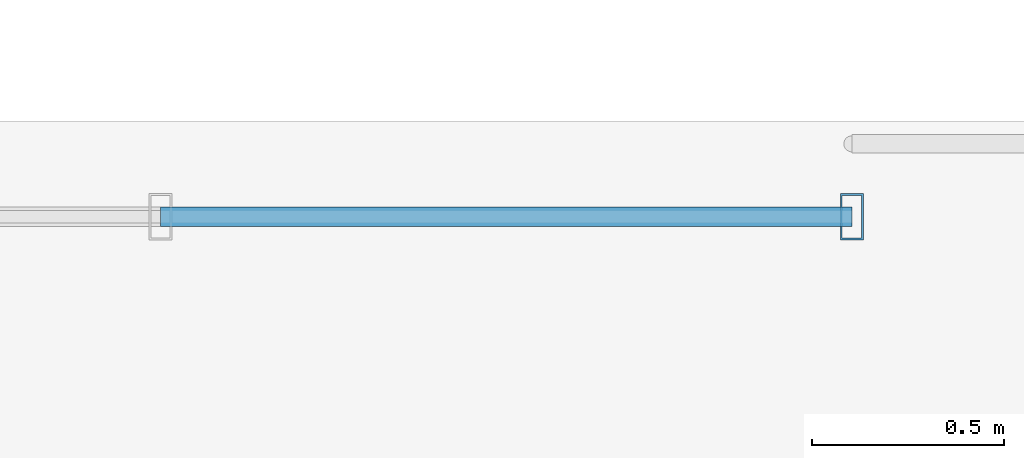
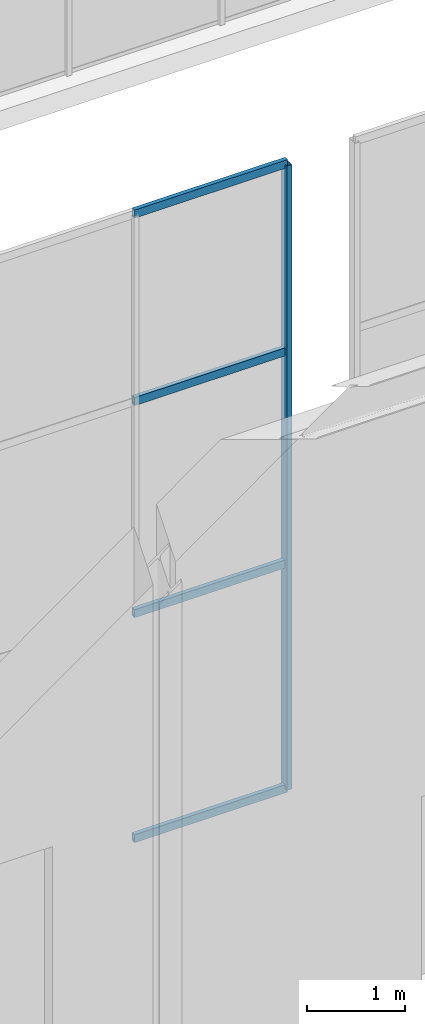
# One storey, part 57 of 138: 5 members, 1 element without a shape of its own.
"""IFC4 building model written with IfcOpenShell, lengths in metres."""

import ifcopenshell
import ifcopenshell.guid

model = None  # the IFC model being written
_history = None  # IfcOwnerHistory: only IFC2X3 demands one
_inside = {}  # id of a spatial element -> (the spatial element, [elements in it])
_under = {}  # id of a project, library or spatial element -> (it, [spatial elements below it])
_declared = {}  # id of a project -> (the project, [libraries it declares])
_typed = {}  # id of a type object -> (the type object, [elements of that type])
_made_of = {}  # id of a material, layer set ... -> (it, [elements and type objects made of it])


def new_model(schema):
    """Start an empty IFC model of exactly this schema.

    Asked for "IFC4X3", IfcOpenShell would pick the latest addendum, in which some entities
    have other attributes; the version numbers below select the first issue.
    IFC2X3 requires an IfcOwnerHistory on every rooted entity: one is made here for all.
    """
    global model, _history
    if schema == "IFC4X3":
        model = ifcopenshell.file(schema_version=(4, 3, 0, 0))
    else:
        model = ifcopenshell.file(schema=schema)
    _inside.clear()
    _under.clear()
    _declared.clear()
    _typed.clear()
    _made_of.clear()
    _history = None
    if model.schema == "IFC2X3":
        org = make("IfcOrganization", Name="unknown")
        user = make(
            "IfcPersonAndOrganization",
            ThePerson=make("IfcPerson", FamilyName="unknown"),
            TheOrganization=org,
        )
        app = make(
            "IfcApplication",
            ApplicationDeveloper=org,
            Version="unknown",
            ApplicationFullName="unknown",
            ApplicationIdentifier="unknown",
        )
        _history = make(
            "IfcOwnerHistory",
            OwningUser=user,
            OwningApplication=app,
            ChangeAction="ADDED",
            CreationDate=0,
        )
    return model


def make(cls, **values):
    """One entity of the class cls with the attributes given. An attribute that is None is left unset."""
    return model.create_entity(
        cls, **{name: value for name, value in values.items() if value is not None}
    )


def rooted(cls, **values):
    """An entity with a GlobalId (a new one), such as an element, a storey or a relation."""
    return make(cls, GlobalId=ifcopenshell.guid.new(), OwnerHistory=_history, **values)


def si_unit(unit_type, name, prefix=None):
    """IfcSIUnit, for example si_unit("LENGTHUNIT", "METRE", prefix="MILLI")."""
    return make("IfcSIUnit", UnitType=unit_type, Prefix=prefix, Name=name)


def assignment(units):
    """IfcUnitAssignment: the units of a project."""
    return None if units is None else make("IfcUnitAssignment", Units=units)


def point(xyz):
    """IfcCartesianPoint."""
    return None if xyz is None else make("IfcCartesianPoint", Coordinates=xyz)


def direction(xyz):
    """IfcDirection."""
    return None if xyz is None else make("IfcDirection", DirectionRatios=xyz)


def frame(location, z_axis=None, x_axis=None):
    """IfcAxis2Placement3D, a coordinate frame: its origin and axes. An axis left out is left unset."""
    return make(
        "IfcAxis2Placement3D",
        Location=point(location),
        Axis=direction(z_axis),
        RefDirection=direction(x_axis),
    )


def frame_2d(location, x_axis=None):
    """IfcAxis2Placement2D, a coordinate frame in the plane: its origin and x axis."""
    return make(
        "IfcAxis2Placement2D", Location=point(location), RefDirection=direction(x_axis)
    )


def origin():
    """The frame at (0, 0, 0) with its axes left unset."""
    return frame((0.0, 0.0, 0.0))


def origin_2d():
    """The frame at (0, 0) in the plane with its x axis left unset."""
    return frame_2d((0.0, 0.0))


def place(relative_to, where):
    """IfcLocalPlacement: puts the frame where relative to a parent placement (None: the world)."""
    return make(
        "IfcLocalPlacement", PlacementRelTo=relative_to, RelativePlacement=where
    )


def context(
    kind, dimensions, precision=None, world=None, true_north=None, identifier=None
):
    """IfcGeometricRepresentationContext, for example the 3D "Model" context."""
    return make(
        "IfcGeometricRepresentationContext",
        ContextIdentifier=identifier,
        ContextType=kind,
        CoordinateSpaceDimension=dimensions,
        Precision=precision,
        WorldCoordinateSystem=world,
        TrueNorth=true_north,
    )


def subcontext(parent, identifier, kind, view, scale=None):
    """IfcGeometricRepresentationSubContext, for example "Body" below "Model"."""
    return make(
        "IfcGeometricRepresentationSubContext",
        ContextIdentifier=identifier,
        ContextType=kind,
        ParentContext=parent,
        TargetScale=scale,
        TargetView=view,
    )


def project(units=None, contexts=None):
    """IfcProject with its units and contexts."""
    return rooted(
        "IfcProject",
        Name="project",
        RepresentationContexts=contexts,
        UnitsInContext=assignment(units),
    )


def spatial(cls, under=None, at=None, **own):
    """A site, building, storey or space (cls), placed at a placement, below another one or the project."""
    s = rooted(cls, ObjectPlacement=at, **own)
    if under is not None:
        _under.setdefault(under.id(), (under, []))[1].append(s)
    return s


def profile(cls, at=None, kind="AREA", **sizes):
    """A parametric profile (cls). Its sizes go by their IFC names, for example OverallWidth=200.0."""
    return make(cls, ProfileType=kind, Position=at, **sizes)


def hollow_rectangle(**sizes):
    """IfcRectangleHollowProfileDef."""
    return profile("IfcRectangleHollowProfileDef", **sizes)


def extrude(swept, where, along, depth):
    """IfcExtrudedAreaSolid: the profile swept, set in the frame where, extruded along a direction by depth."""
    return make(
        "IfcExtrudedAreaSolid",
        SweptArea=swept,
        Position=where,
        ExtrudedDirection=direction(along),
        Depth=depth,
    )


def shape(context_of_items, identifier, shape_type, items):
    """IfcShapeRepresentation: the items that make up one representation, for example the "Body"."""
    return make(
        "IfcShapeRepresentation",
        ContextOfItems=context_of_items,
        RepresentationIdentifier=identifier,
        RepresentationType=shape_type,
        Items=items,
    )


def material(Name=None, Category=None):
    """IfcMaterial."""
    return make("IfcMaterial", Name=Name, Category=Category)


def material_profile(
    of_material, cross_section, Name=None, Category=None, Priority=None
):
    """IfcMaterialProfile: a cross section and its material."""
    return make(
        "IfcMaterialProfile",
        Name=Name,
        Material=of_material,
        Profile=cross_section,
        Priority=Priority,
        Category=Category,
    )


def profile_set(profiles, Name=None, composite=None):
    """IfcMaterialProfileSet."""
    return make(
        "IfcMaterialProfileSet",
        Name=Name,
        MaterialProfiles=profiles,
        CompositeProfile=composite,
    )


def made_of(thing, what):
    """Note that an element or type object is made of a material, layer set ...; save() writes the relation."""
    if what is not None:
        _made_of.setdefault(what.id(), (what, []))[1].append(thing)
    return thing


def type_object(cls, material=None, **own):
    """A type object (cls), such as IfcWallType, which elements share."""
    return made_of(rooted(cls, **own), material)


def element(
    cls,
    number,
    at=None,
    inside=None,
    cuts=None,
    type_object=None,
    material=None,
    context=None,
    identifier="Body",
    shape_type=None,
    held_by="IfcProductDefinitionShape",
    body=None,
    shapes=None,
    **own,
):
    """One element of the class cls, such as IfcWall. Its Tag is "e" and its number.

    at: its placement. inside: the storey or other place that contains it. cuts: it is an
    opening in that element (IfcRelVoidsElement). A single representation is given by context,
    identifier, shape_type and body (its items); several are given by shapes. held_by: the class
    of the entity that holds the representations. save() writes the other relations.
    """
    e = rooted(cls, Tag="e%d" % number, ObjectPlacement=at, **own)
    if body is not None:
        shapes = [shape(context, identifier, shape_type, body)]
    if shapes is not None:
        e.Representation = make(held_by, Representations=shapes)
    if inside is not None:
        _inside.setdefault(inside.id(), (inside, []))[1].append(e)
    if cuts is not None:
        rooted(
            "IfcRelVoidsElement", RelatingBuildingElement=cuts, RelatedOpeningElement=e
        )
    if type_object is not None:
        _typed.setdefault(type_object.id(), (type_object, []))[1].append(e)
    return made_of(e, material)


def aggregate(whole, parts):
    """IfcRelAggregates: a whole, such as a stair, and the parts it consists of."""
    return rooted("IfcRelAggregates", RelatingObject=whole, RelatedObjects=parts)


def save(model, path):
    """Write the relations noted so far, then the file.

    IfcRelAggregates (storeys below a building ...), IfcRelContainedInSpatialStructure (elements
    in a storey), IfcRelDefinesByType, IfcRelAssociatesMaterial and IfcRelDeclares: one each for
    every whole, place, type object, material and project.
    """
    for whole, parts in _under.values():
        aggregate(whole, parts)
    for where, things in _inside.values():
        rooted(
            "IfcRelContainedInSpatialStructure",
            RelatedElements=things,
            RelatingStructure=where,
        )
    for kind, things in _typed.values():
        rooted("IfcRelDefinesByType", RelatedObjects=things, RelatingType=kind)
    for what, things in _made_of.values():
        rooted("IfcRelAssociatesMaterial", RelatedObjects=things, RelatingMaterial=what)
    for by, libraries in _declared.values():
        rooted("IfcRelDeclares", RelatingContext=by, RelatedDefinitions=libraries)
    model.write(path)


model = new_model("IFC4")

# Units and contexts
model_context = context("Model", 3, precision=1e-05, world=origin(), true_north=direction((0.0, 1.0)))
body_context = subcontext(model_context, "Body", "Model", "MODEL_VIEW")
ifc_project = project(units=[si_unit("LENGTHUNIT", "METRE"), si_unit("AREAUNIT", "SQUARE_METRE"), si_unit("VOLUMEUNIT", "CUBIC_METRE"), si_unit("PLANEANGLEUNIT", "RADIAN"), si_unit("MASSUNIT", "GRAM", prefix="KILO")], contexts=[model_context])

# Site, building, storey
site_placement = place(None, origin())
site = spatial("IfcSite", under=ifc_project, at=site_placement, CompositionType="ELEMENT")
building_placement = place(site_placement, origin())
building = spatial("IfcBuilding", under=site, at=building_placement, Name="Sundkrona Museum", CompositionType="ELEMENT")
storey_placement = place(building_placement, frame((0.0, 0.0, 9.60009765625)))
storey = spatial("IfcBuildingStorey", under=building, at=storey_placement, Name="L02", CompositionType="ELEMENT", Elevation=9.60009765625)

# Curtain wall, members
ifc_material_1 = material(Name="Unitised Aluminium-Steel and Ceramic-Clad Curtain Walling", Category="steel")
curtain_wall_type = type_object("IfcCurtainWallType", Name="CW-CL-64x48", PredefinedType="NOTDEFINED", material=ifc_material_1)
curtain_wall_placement = place(storey_placement, origin())
curtain_wall = element("IfcCurtainWall", 1, at=curtain_wall_placement, inside=storey, type_object=curtain_wall_type, Name="L02 Curtain Wall CW-L02-132", PredefinedType="NOTDEFINED")
ifc_material_2 = material(Name="Aluminium EN AW-6060 T66", Category="aluminium")
ifc_material_profile_1 = material_profile(ifc_material_2, hollow_rectangle(XDim=0.06005859375, YDim=0.1201171875, WallThickness=0.0048828125, at=origin_2d()), Name="RHS 120x60x5.0")
ifc_profile_set_1 = profile_set([ifc_material_profile_1], Name="Aluminium EN AW-6060 T66")
member_type_1 = type_object("IfcMemberType", Name="ML-120", PredefinedType="MULLION", material=ifc_profile_set_1)
member_1_placement = place(storey_placement, frame((35.60009765625, 81.75, -0.004150390625), z_axis=(0.0, 0.0, 1.0), x_axis=(1.0, 0.0, 0.0)))
member_1 = element("IfcMember", 2, at=member_1_placement, type_object=member_type_1, Name="CW-L02-132 Mullion 05", PredefinedType="MULLION", context=body_context, shape_type="SweptSolid", body=[
    extrude(hollow_rectangle(XDim=0.06005859375, YDim=0.1201171875, WallThickness=0.0048828125, at=origin_2d()), origin(), (0.0, 0.0, 1.0), 7.76806640625),
])
ifc_material_profile_2 = material_profile(ifc_material_2, hollow_rectangle(XDim=0.050048828125, YDim=0.10009765625, WallThickness=0.0048828125, at=origin_2d()), Name="RHS 100x50x5.0")
ifc_profile_set_2 = profile_set([ifc_material_profile_2], Name="Aluminium EN AW-6060 T66")
member_type_2 = type_object("IfcMemberType", Name="TR-100", PredefinedType="USERDEFINED", material=ifc_profile_set_2)
member_2_placement = place(storey_placement, frame((33.800048828125, 81.75, -0.004150390625), z_axis=(1.0, 0.0, 0.0), x_axis=(0.0, 1.0, 0.0)))
member_2 = element("IfcMember", 3, at=member_2_placement, type_object=member_type_2, Name="CW-L02-132 Transom 13", ObjectType="TRANSOM", PredefinedType="USERDEFINED", context=body_context, shape_type="SweptSolid", body=[
    extrude(hollow_rectangle(XDim=0.050048828125, YDim=0.10009765625, WallThickness=0.0048828125, at=origin_2d()), origin(), (0.0, 0.0, 1.0), 1.800048828125),
])
member_3_placement = place(storey_placement, frame((33.800048828125, 81.75, 2.7939453125), z_axis=(1.0, 0.0, 0.0), x_axis=(0.0, 1.0, 0.0)))
member_3 = element("IfcMember", 4, at=member_3_placement, type_object=member_type_2, Name="CW-L02-132 Transom 14", ObjectType="TRANSOM", PredefinedType="USERDEFINED", context=body_context, shape_type="SweptSolid", body=[
    extrude(hollow_rectangle(XDim=0.050048828125, YDim=0.10009765625, WallThickness=0.0048828125, at=origin_2d()), origin(), (0.0, 0.0, 1.0), 1.800048828125),
])
member_4_placement = place(storey_placement, frame((33.800048828125, 81.75, 5.431884765625), z_axis=(1.0, 0.0, 0.0), x_axis=(0.0, 1.0, 0.0)))
member_4 = element("IfcMember", 5, at=member_4_placement, type_object=member_type_2, Name="CW-L02-132 Transom 15", ObjectType="TRANSOM", PredefinedType="USERDEFINED", context=body_context, shape_type="SweptSolid", body=[
    extrude(hollow_rectangle(XDim=0.050048828125, YDim=0.10009765625, WallThickness=0.0048828125, at=origin_2d()), origin(), (0.0, 0.0, 1.0), 1.800048828125),
])
member_5_placement = place(storey_placement, frame((33.800048828125, 81.75, 7.763916015625), z_axis=(1.0, 0.0, 0.0), x_axis=(0.0, 1.0, 0.0)))
member_5 = element("IfcMember", 6, at=member_5_placement, type_object=member_type_2, Name="CW-L02-132 Transom 16", ObjectType="TRANSOM", PredefinedType="USERDEFINED", context=body_context, shape_type="SweptSolid", body=[
    extrude(hollow_rectangle(XDim=0.050048828125, YDim=0.10009765625, WallThickness=0.0048828125, at=origin_2d()), origin(), (0.0, 0.0, 1.0), 1.800048828125),
])
aggregate(curtain_wall, [member_1, member_2, member_3, member_4, member_5])

save(model, "model.ifc")
